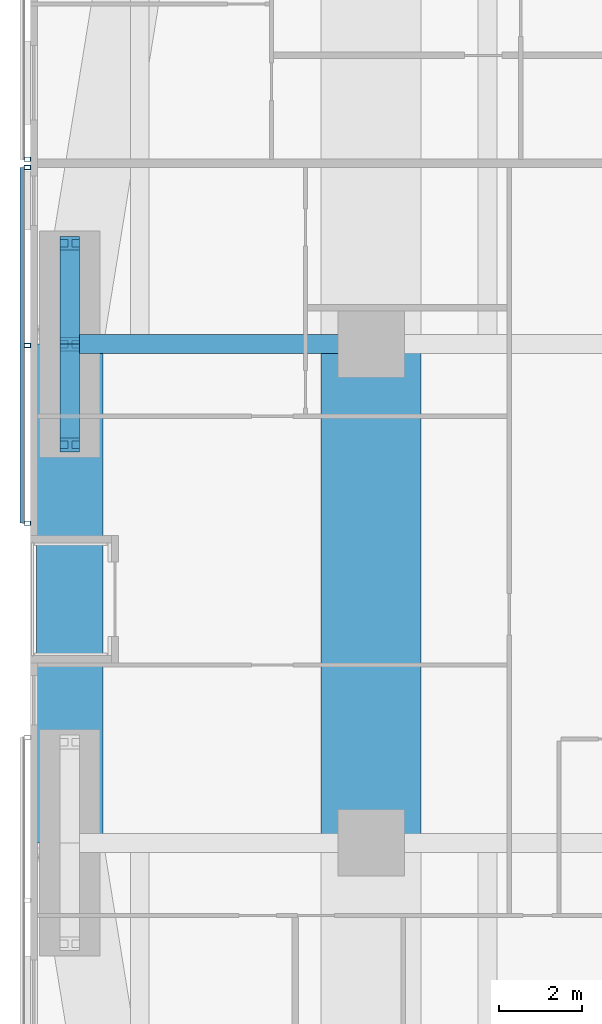
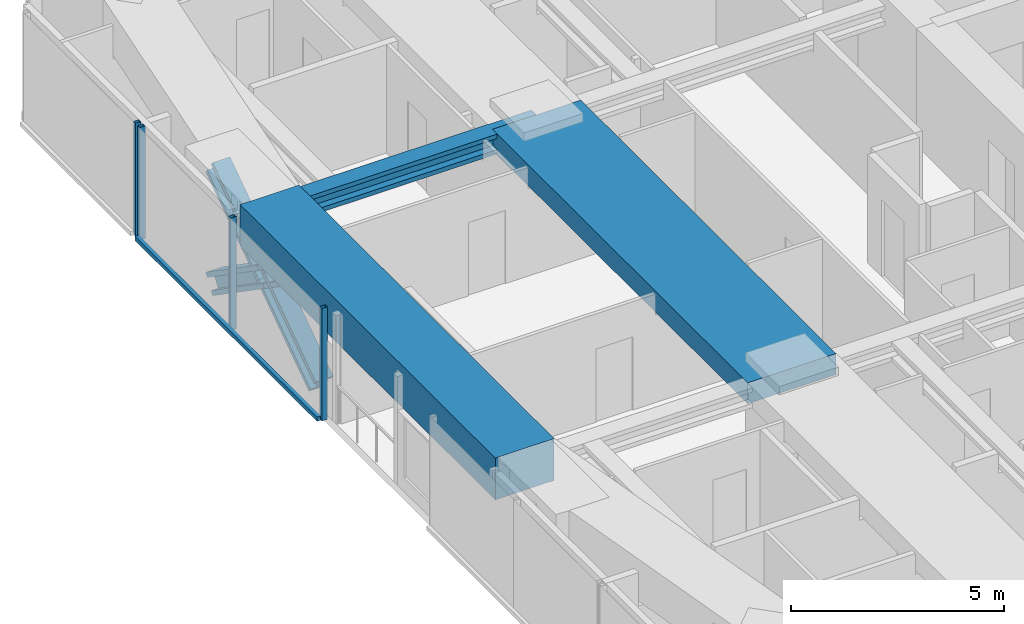
# One storey, part 6 of 23: 9 members, 3 beams, 2 elements without a shape of their own.
"""IFC4 building model written with IfcOpenShell, lengths in metres."""

from ifc_helpers import new_model, si_unit, direction, frame, origin, origin_2d, place, context, subcontext, project, spatial, rectangle, hollow_rectangle, i_section, extrude, material, material_profile, profile_set, type_object, element, aggregate, save


model = new_model("IFC4")

# Units and contexts
model_context = context("Model", 3, precision=1e-05, world=origin(), true_north=direction((0.0, 1.0)))
body_context = subcontext(model_context, "Body", "Model", "MODEL_VIEW")
ifc_project = project(units=[si_unit("LENGTHUNIT", "METRE"), si_unit("AREAUNIT", "SQUARE_METRE"), si_unit("VOLUMEUNIT", "CUBIC_METRE"), si_unit("PLANEANGLEUNIT", "RADIAN"), si_unit("MASSUNIT", "GRAM", prefix="KILO")], contexts=[model_context])

# Site, building, storey
site_placement = place(None, origin())
site = spatial("IfcSite", under=ifc_project, at=site_placement, CompositionType="ELEMENT")
building_placement = place(site_placement, origin())
building = spatial("IfcBuilding", under=site, at=building_placement, Name="Jalousie Tower", CompositionType="ELEMENT")
storey_placement = place(building_placement, frame((0.0, 0.0, 27.699951171875)))
storey = spatial("IfcBuildingStorey", under=building, at=storey_placement, Name="L06", CompositionType="ELEMENT", Elevation=27.699951171875)

# Beam
ifc_material_1 = material(Name="Steel ASTM A992 Grade 50", Category="steel")
ifc_material_profile_1 = material_profile(ifc_material_1, i_section(OverallWidth=0.45458984375, OverallDepth=0.569091796875, WebThickness=0.077880859375, FlangeThickness=0.124755859375, at=origin_2d()), Name="W14X730")
ifc_profile_set_1 = profile_set([ifc_material_profile_1], Name="Steel ASTM A992 Grade 50")
beam_type_1 = type_object("IfcBeamType", Name="LEAN COLLECTOR W14X730", PredefinedType="BEAM", material=ifc_profile_set_1)
beam_1_placement = place(storey_placement, frame((2.949951171875, 25.0, 2.825439453125), z_axis=(1.0, 0.0, 0.0), x_axis=(0.0, 1.0, 0.0)))
element("IfcBeam", 1, at=beam_1_placement, inside=storey, type_object=beam_type_1, Name="Lean collector under L07", PredefinedType="BEAM", context=body_context, shape_type="SweptSolid", body=[
    extrude(i_section(OverallWidth=0.45458984375, OverallDepth=0.569091796875, WebThickness=0.077880859375, FlangeThickness=0.124755859375, at=origin_2d()), origin(), (0.0, 0.0, 1.0), 7.25),
])

# Members
ifc_material_2 = material(Name="Steel ASTM A992 Grade 50", Category="steel")
ifc_material_profile_2 = material_profile(ifc_material_2, i_section(OverallWidth=0.472412109375, OverallDepth=0.5791015625, WebThickness=0.094970703125, FlangeThickness=0.1298828125, at=origin_2d()), Name="W14X808")
ifc_profile_set_2 = profile_set([ifc_material_profile_2], Name="Steel ASTM A992 Grade 50")
member_type_1 = type_object("IfcMemberType", Name="PERIMETER BRACE W14X808", PredefinedType="BRACE", material=ifc_profile_set_2)
for number, where, z_axis, x_axis, name in (
    (2, (2.949951171875, 22.574951171875, -0.599853515625), (0.0, 0.82283879777, 0.568274856811), (-1.0, 0.0, 0.0), "Perimeter brace 13 L06 part 1"),
    (3, (2.949951171875, 25.0, 1.074951171875), (0.0, 0.822800062329, 0.568330940062), (-1.0, 0.0, 0.0), "Perimeter brace 13 L06 part 2"),
    (4, (2.949951171875, 27.425048828125, -0.599853515625), (0.0, -0.82283879777, 0.568274856811), (1.0, 0.0, 0.0), "Perimeter brace 13 L06 part 3"),
    (5, (2.949951171875, 25.0, 1.074951171875), (0.0, -0.822800062329, 0.568330940062), (1.0, 0.0, 0.0), "Perimeter brace 13 L06 part 4"),
):
    element("IfcMember", number, at=place(storey_placement, frame(where, z_axis=z_axis, x_axis=x_axis)), inside=storey, type_object=member_type_1, Name=name, PredefinedType="BRACE", context=body_context, shape_type="SweptSolid", body=[
        extrude(i_section(OverallWidth=0.472412109375, OverallDepth=0.5791015625, WebThickness=0.094970703125, FlangeThickness=0.1298828125, at=origin_2d()), origin(), (0.0, 0.0, 1.0), 2.947265625),
    ])

# Beams
ifc_material_3 = material(Name="Concrete f'c 40 MPa", Category="concrete")
ifc_material_profile_3 = material_profile(ifc_material_3, rectangle(XDim=1.60009765625, YDim=1.199951171875, at=origin_2d()), Name="RC 1600x1200")
ifc_profile_set_3 = profile_set([ifc_material_profile_3], Name="Concrete f'c 40 MPa")
beam_type_2 = type_object("IfcBeamType", Name="RC BEAM 1600x1200", PredefinedType="BEAM", material=ifc_profile_set_3)
beam_2_placement = place(storey_placement, frame((2.949951171875, 25.0, 2.75), z_axis=(0.0, -1.0, 0.0), x_axis=(1.0, 0.0, 0.0)))
element("IfcBeam", 6, at=beam_2_placement, inside=storey, type_object=beam_type_2, Name="Edge band beam 13-14 under L07", PredefinedType="BEAM", context=body_context, shape_type="SweptSolid", body=[
    extrude(rectangle(XDim=1.60009765625, YDim=1.199951171875, at=origin_2d()), origin(), (0.0, 0.0, 1.0), 12.0),
])
ifc_material_4 = material(Name="Concrete f'c 40 MPa", Category="concrete")
ifc_material_profile_4 = material_profile(ifc_material_4, rectangle(XDim=2.39990234375, YDim=0.60009765625, at=origin_2d()), Name="RC 2400x600")
ifc_profile_set_4 = profile_set([ifc_material_profile_4], Name="Concrete f'c 40 MPa")
beam_type_3 = type_object("IfcBeamType", Name="RC BEAM 2400x600", PredefinedType="BEAM", material=ifc_profile_set_4)
beam_3_placement = place(storey_placement, frame((10.199951171875, 13.0, 2.81005859375), z_axis=(0.0, 1.0, 0.0), x_axis=(-1.0, 0.0, 0.0)))
element("IfcBeam", 7, at=beam_3_placement, inside=storey, type_object=beam_type_3, Name="Floor band beam under L07", PredefinedType="BEAM", context=body_context, shape_type="SweptSolid", body=[
    extrude(rectangle(XDim=2.39990234375, YDim=0.60009765625, at=origin_2d()), origin(), (0.0, 0.0, 1.0), 12.0),
])

# Curtain wall, member
ifc_material_5 = material(Name="Perforated aluminium sheet", Category="aluminium")
curtain_wall_type = type_object("IfcCurtainWallType", Name="SOLAR SCREEN SS-1", PredefinedType="USERDEFINED", material=ifc_material_5)
curtain_wall_1_placement = place(storey_placement, origin())
curtain_wall_1 = element("IfcCurtainWall", 8, at=curtain_wall_1_placement, inside=storey, type_object=curtain_wall_type, Name="Solar screen L06", ObjectType="SOLAR SCREEN SS-1", PredefinedType="USERDEFINED")
ifc_material_6 = material(Name="Steel ASTM A500 Grade C", Category="steel")
ifc_material_profile_5 = material_profile(ifc_material_6, hollow_rectangle(XDim=0.1015625, YDim=0.15234375, WallThickness=0.00634765625, at=origin_2d()), Name="HSS6X4X1/4")
ifc_profile_set_5 = profile_set([ifc_material_profile_5], Name="Steel ASTM A500 Grade C")
member_type_2 = type_object("IfcMemberType", Name="SOLAR SCREEN SS-1 MULLION", PredefinedType="MULLION", material=ifc_profile_set_5)
member_1_placement = place(storey_placement, frame((1.9287109375, 29.449951171875, -0.119873046875), z_axis=(0.0, 0.0, 1.0), x_axis=(0.0, -1.0, 0.0)))
member_1 = element("IfcMember", 9, at=member_1_placement, type_object=member_type_2, Name="SS1 post 2", PredefinedType="MULLION", context=body_context, shape_type="SweptSolid", body=[
    extrude(hollow_rectangle(XDim=0.1015625, YDim=0.15234375, WallThickness=0.00634765625, at=origin_2d()), origin(), (0.0, 0.0, 1.0), 3.22998046875),
])
aggregate(curtain_wall_1, [member_1])

# Curtain wall, members
curtain_wall_2_placement = place(storey_placement, origin())
curtain_wall_2 = element("IfcCurtainWall", 10, at=curtain_wall_2_placement, inside=storey, type_object=curtain_wall_type, Name="Solar screen L06", ObjectType="SOLAR SCREEN SS-1", PredefinedType="USERDEFINED")
member_2_placement = place(storey_placement, frame((1.9287109375, 29.25, -0.119873046875), z_axis=(0.0, 0.0, 1.0), x_axis=(0.0, -1.0, 0.0)))
member_2 = element("IfcMember", 11, at=member_2_placement, type_object=member_type_2, Name="SS1 post 1", PredefinedType="MULLION", context=body_context, shape_type="SweptSolid", body=[
    extrude(hollow_rectangle(XDim=0.1015625, YDim=0.15234375, WallThickness=0.00634765625, at=origin_2d()), origin(), (0.0, 0.0, 1.0), 3.22998046875),
])
member_3_placement = place(storey_placement, frame((1.9287109375, 24.970703125, -0.119873046875), z_axis=(0.0, 0.0, 1.0), x_axis=(0.0, -1.0, 0.0)))
member_3 = element("IfcMember", 12, at=member_3_placement, type_object=member_type_2, Name="SS1 post 2", PredefinedType="MULLION", context=body_context, shape_type="SweptSolid", body=[
    extrude(hollow_rectangle(XDim=0.1015625, YDim=0.15234375, WallThickness=0.00634765625, at=origin_2d()), origin(), (0.0, 0.0, 1.0), 3.22998046875),
])
member_4_placement = place(storey_placement, frame((1.9287109375, 20.691650390625, -0.119873046875), z_axis=(0.0, 0.0, 1.0), x_axis=(0.0, -1.0, 0.0)))
member_4 = element("IfcMember", 13, at=member_4_placement, type_object=member_type_2, Name="SS1 post 3", PredefinedType="MULLION", context=body_context, shape_type="SweptSolid", body=[
    extrude(hollow_rectangle(XDim=0.1015625, YDim=0.15234375, WallThickness=0.00634765625, at=origin_2d()), origin(), (0.0, 0.0, 1.0), 3.22998046875),
])
ifc_material_7 = material(Name="Extruded aluminium screen rail", Category="aluminium")
ifc_material_profile_6 = material_profile(ifc_material_7, rectangle(XDim=0.1015625, YDim=0.1201171875, at=origin_2d()), Name="RAIL 102x120")
ifc_profile_set_6 = profile_set([ifc_material_profile_6], Name="Extruded aluminium screen rail")
member_type_3 = type_object("IfcMemberType", Name="SOLAR SCREEN SS-1 TRANSOM", PredefinedType="USERDEFINED", material=ifc_profile_set_6)
member_5_placement = place(storey_placement, frame((1.8017578125, 29.25, -0.06005859375), z_axis=(0.0, -1.0, 0.0), x_axis=(1.0, 0.0, 0.0)))
member_5 = element("IfcMember", 14, at=member_5_placement, type_object=member_type_3, Name="SS1 rail", ObjectType="TRANSOM", PredefinedType="USERDEFINED", context=body_context, shape_type="SweptSolid", body=[
    extrude(rectangle(XDim=0.1015625, YDim=0.1201171875, at=origin_2d()), origin(), (0.0, 0.0, 1.0), 8.558349609375),
])
aggregate(curtain_wall_2, [member_2, member_3, member_4, member_5])

save(model, "model.ifc")
